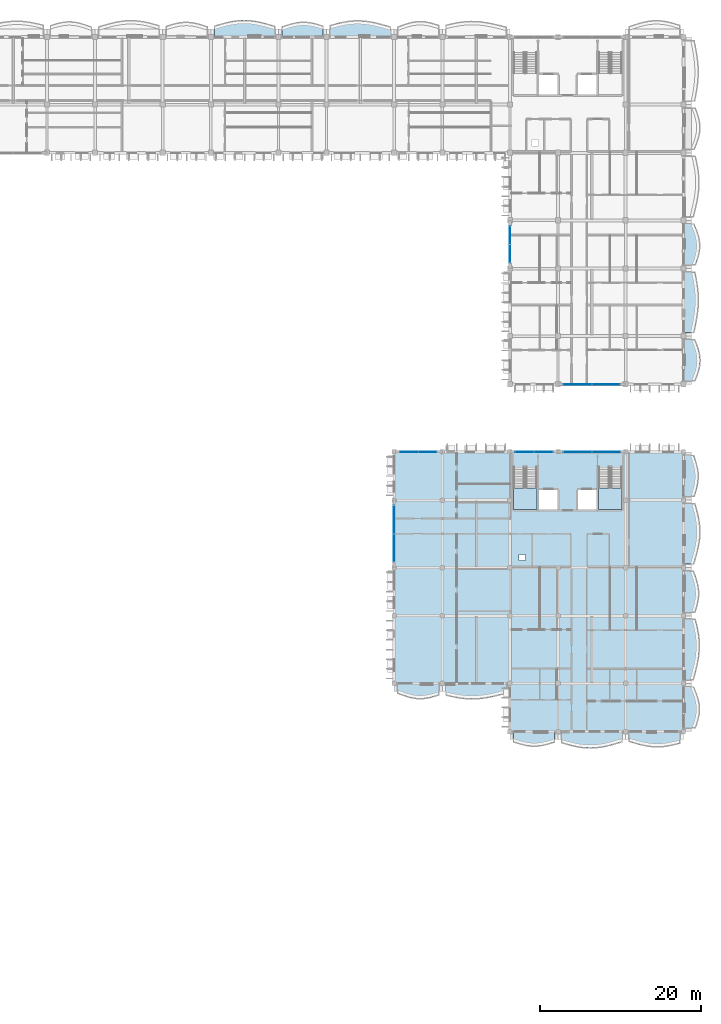
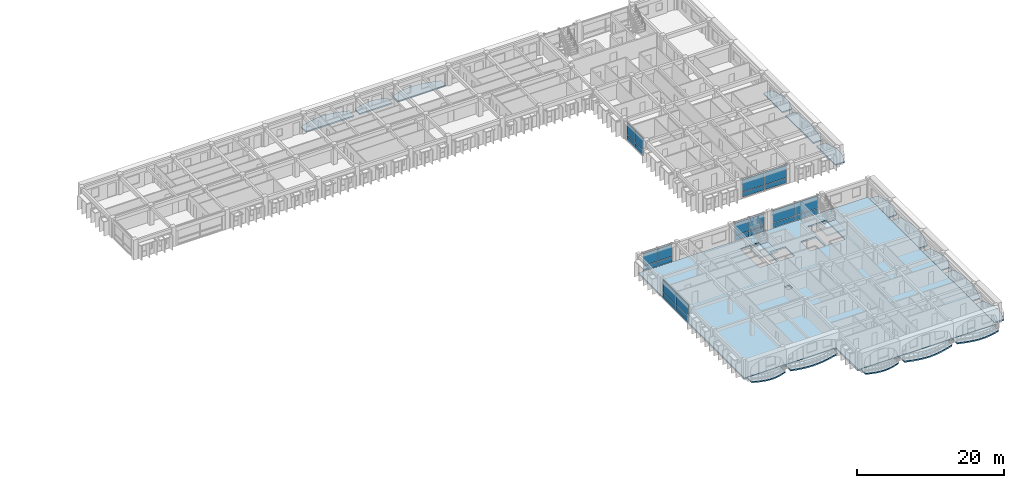
# One storey, part 23 of 79: 24 plates, 19 slabs, 8 elements without a shape of their own.
"""IFC4 building model written with IfcOpenShell, lengths in metres."""

from ifc_helpers import new_model, si_unit, direction, frame, origin, origin_2d, place, context, subcontext, project, spatial, polyline, rectangle, outline, extrude, material, layer, layer_set, type_object, element, aggregate, save


model = new_model("IFC4")

# Units and contexts
model_context = context("Model", 3, precision=1e-05, world=origin(), true_north=direction((0.0, 1.0)))
body_context = subcontext(model_context, "Body", "Model", "MODEL_VIEW")
ifc_project = project(units=[si_unit("LENGTHUNIT", "METRE"), si_unit("AREAUNIT", "SQUARE_METRE"), si_unit("VOLUMEUNIT", "CUBIC_METRE"), si_unit("PLANEANGLEUNIT", "RADIAN"), si_unit("MASSUNIT", "GRAM", prefix="KILO"), si_unit("THERMODYNAMICTEMPERATUREUNIT", "KELVIN")], contexts=[model_context])

# Site, building, storey
site_placement = place(None, origin())
site = spatial("IfcSite", under=ifc_project, at=site_placement, CompositionType="ELEMENT")
building_placement = place(site_placement, origin())
building = spatial("IfcBuilding", under=site, at=building_placement, Name="Thalorik Housing Commons", CompositionType="ELEMENT")
storey_placement = place(building_placement, frame((0.0, 0.0, 11.39990234375)))
storey = spatial("IfcBuildingStorey", under=building, at=storey_placement, Name="L03", CompositionType="ELEMENT", Elevation=11.39990234375)

# Curtain wall, plates
ifc_material_1 = material(Name="Anodised aluminium and solar-control low-E glass", Category="aluminium")
curtain_wall_type_1 = type_object("IfcCurtainWallType", Name="ARC-CW-LOUNGE", PredefinedType="USERDEFINED", material=ifc_material_1)
curtain_wall_1_placement = place(storey_placement, origin())
curtain_wall_1 = element("IfcCurtainWall", 1, at=curtain_wall_1_placement, inside=storey, type_object=curtain_wall_type_1, Name="L03 Curtain Wall CW-RES-L03-B-086", ObjectType="CURTAIN WALL", PredefinedType="USERDEFINED")
ifc_material_2 = material(Name="Cobalt blue enamelled aluminium spandrel panel", Category="aluminium")
ifc_layer_1 = layer(ifc_material_2, 0.0458984375, Name="Cobalt blue enamelled aluminium spandrel panel", Category="aluminium")
ifc_layer_set_1 = layer_set([ifc_layer_1], Name="Cobalt blue enamelled aluminium spandrel panel")
plate_type_1 = type_object("IfcPlateType", Name="ARC-CP-BLU-46", PredefinedType="CURTAIN_PANEL", material=ifc_layer_set_1)
plate_1_placement = place(storey_placement, frame((152.39990234375, 98.949951171875, 0.080078125), z_axis=(0.0, 0.0, 1.0), x_axis=(0.0, -1.0, 0.0)))
plate_1 = element("IfcPlate", 2, at=plate_1_placement, type_object=plate_type_1, Name="CW-RES-L03-B-086 Spandrel Panel 1", PredefinedType="CURTAIN_PANEL", context=body_context, shape_type="SweptSolid", body=[
    extrude(rectangle(XDim=2.239990234375, YDim=0.0458984375, at=origin_2d()), origin(), (0.0, 0.0, 1.0), 0.760009765625),
])
plate_2_placement = place(storey_placement, frame((152.39990234375, 96.64990234375, 0.080078125), z_axis=(0.0, 0.0, 1.0), x_axis=(0.0, -1.0, 0.0)))
plate_2 = element("IfcPlate", 3, at=plate_2_placement, type_object=plate_type_1, Name="CW-RES-L03-B-086 Spandrel Panel 2", PredefinedType="CURTAIN_PANEL", context=body_context, shape_type="SweptSolid", body=[
    extrude(rectangle(XDim=2.239990234375, YDim=0.0458984375, at=origin_2d()), origin(), (0.0, 0.0, 1.0), 0.760009765625),
])

curtain_wall_2_placement = place(storey_placement, origin())
curtain_wall_2 = element("IfcCurtainWall", 4, at=curtain_wall_2_placement, inside=storey, type_object=curtain_wall_type_1, Name="L03 Curtain Wall CW-RES-L03-D-183", ObjectType="CURTAIN WALL", PredefinedType="USERDEFINED")
plate_3_placement = place(storey_placement, frame((138.0, 63.550048828125, 0.080078125), z_axis=(0.0, 0.0, 1.0), x_axis=(0.0, -1.0, 0.0)))
plate_3 = element("IfcPlate", 5, at=plate_3_placement, type_object=plate_type_1, Name="CW-RES-L03-D-183 Spandrel Panel 1", PredefinedType="CURTAIN_PANEL", context=body_context, shape_type="SweptSolid", body=[
    extrude(rectangle(XDim=3.43994140625, YDim=0.0458984375, at=origin_2d()), origin(), (0.0, 0.0, 1.0), 0.760009765625),
])
plate_4_placement = place(storey_placement, frame((138.0, 60.050048828125, 0.080078125), z_axis=(0.0, 0.0, 1.0), x_axis=(0.0, -1.0, 0.0)))
plate_4 = element("IfcPlate", 6, at=plate_4_placement, type_object=plate_type_1, Name="CW-RES-L03-D-183 Spandrel Panel 2", PredefinedType="CURTAIN_PANEL", context=body_context, shape_type="SweptSolid", body=[
    extrude(rectangle(XDim=3.43994140625, YDim=0.0458984375, at=origin_2d()), origin(), (0.0, 0.0, 1.0), 0.760009765625),
])

curtain_wall_type_2 = type_object("IfcCurtainWallType", Name="ARC-CW-CORE", PredefinedType="USERDEFINED", material=ifc_material_1)
curtain_wall_3_placement = place(storey_placement, origin())
curtain_wall_3 = element("IfcCurtainWall", 7, at=curtain_wall_3_placement, inside=storey, type_object=curtain_wall_type_2, Name="L03 Curtain Wall CW-CORE-L03-D-187", ObjectType="CURTAIN WALL", PredefinedType="USERDEFINED")
plate_5_placement = place(storey_placement, frame((164.375, 72.0, 0.080078125), z_axis=(0.0, 0.0, 1.0), x_axis=(-1.0, 0.0, 0.0)))
plate_5 = element("IfcPlate", 8, at=plate_5_placement, type_object=plate_type_1, Name="CW-CORE-L03-D-187 Spandrel Panel 1", PredefinedType="CURTAIN_PANEL", context=body_context, shape_type="SweptSolid", body=[
    extrude(rectangle(XDim=3.489990234375, YDim=0.0458984375, at=origin_2d()), origin(), (0.0, 0.0, 1.0), 0.760009765625),
])
plate_6_placement = place(storey_placement, frame((160.824951171875, 72.0, 0.080078125), z_axis=(0.0, 0.0, 1.0), x_axis=(-1.0, 0.0, 0.0)))
plate_6 = element("IfcPlate", 9, at=plate_6_placement, type_object=plate_type_1, Name="CW-CORE-L03-D-187 Spandrel Panel 2", PredefinedType="CURTAIN_PANEL", context=body_context, shape_type="SweptSolid", body=[
    extrude(rectangle(XDim=3.489990234375, YDim=0.0458984375, at=origin_2d()), origin(), (0.0, 0.0, 1.0), 0.760009765625),
])

# Plate
ifc_material_3 = material(Name="Double solar-control low-E glass", Category="glass")
ifc_layer_2 = layer(ifc_material_3, 0.028076171875, Name="Double solar-control low-E glass", Category="glass")
ifc_layer_set_2 = layer_set([ifc_layer_2], Name="Double solar-control low-E glass")
plate_type_2 = type_object("IfcPlateType", Name="ARC-CP-GLZ-28", PredefinedType="CURTAIN_PANEL", material=ifc_layer_set_2)
plate_7_placement = place(storey_placement, frame((152.39990234375, 98.949951171875, 0.920166015625), z_axis=(0.0, 0.0, 1.0), x_axis=(0.0, -1.0, 0.0)))
plate_7 = element("IfcPlate", 10, at=plate_7_placement, type_object=plate_type_2, Name="CW-RES-L03-B-086 Vision Panel 1", PredefinedType="CURTAIN_PANEL", context=body_context, shape_type="SweptSolid", body=[
    extrude(rectangle(XDim=2.239990234375, YDim=0.028076171875, at=origin_2d()), origin(), (0.0, 0.0, 1.0), 2.0400390625),
])

plate_8_placement = place(storey_placement, frame((152.39990234375, 96.64990234375, 0.920166015625), z_axis=(0.0, 0.0, 1.0), x_axis=(0.0, -1.0, 0.0)))
plate_8 = element("IfcPlate", 11, at=plate_8_placement, type_object=plate_type_2, Name="CW-RES-L03-B-086 Vision Panel 2", PredefinedType="CURTAIN_PANEL", context=body_context, shape_type="SweptSolid", body=[
    extrude(rectangle(XDim=2.239990234375, YDim=0.028076171875, at=origin_2d()), origin(), (0.0, 0.0, 1.0), 2.0400390625),
])

aggregate(curtain_wall_1, [plate_1, plate_7, plate_2, plate_8])

# Curtain wall, plates
curtain_wall_4_placement = place(storey_placement, origin())
curtain_wall_4 = element("IfcCurtainWall", 12, at=curtain_wall_4_placement, inside=storey, type_object=curtain_wall_type_1, Name="L03 Curtain Wall CW-RES-L03-B-087", ObjectType="CURTAIN WALL", PredefinedType="USERDEFINED")
plate_9_placement = place(storey_placement, frame((160.85009765625, 80.39990234375, 0.920166015625), z_axis=(0.0, 0.0, 1.0), x_axis=(1.0, 0.0, 0.0)))
plate_9 = element("IfcPlate", 13, at=plate_9_placement, type_object=plate_type_2, Name="CW-RES-L03-B-087 Vision Panel 1", PredefinedType="CURTAIN_PANEL", context=body_context, shape_type="SweptSolid", body=[
    extrude(rectangle(XDim=3.43994140625, YDim=0.028076171875, at=origin_2d()), origin(), (0.0, 0.0, 1.0), 2.0400390625),
])
plate_10_placement = place(storey_placement, frame((164.35009765625, 80.39990234375, 0.920166015625), z_axis=(0.0, 0.0, 1.0), x_axis=(1.0, 0.0, 0.0)))
plate_10 = element("IfcPlate", 14, at=plate_10_placement, type_object=plate_type_2, Name="CW-RES-L03-B-087 Vision Panel 2", PredefinedType="CURTAIN_PANEL", context=body_context, shape_type="SweptSolid", body=[
    extrude(rectangle(XDim=3.43994140625, YDim=0.028076171875, at=origin_2d()), origin(), (0.0, 0.0, 1.0), 2.0400390625),
])

curtain_wall_5_placement = place(storey_placement, origin())
curtain_wall_5 = element("IfcCurtainWall", 15, at=curtain_wall_5_placement, inside=storey, type_object=curtain_wall_type_1, Name="L03 Curtain Wall CW-RES-L03-D-182", ObjectType="CURTAIN WALL", PredefinedType="USERDEFINED")
plate_11_placement = place(storey_placement, frame((142.14990234375, 72.0, 0.920166015625), z_axis=(0.0, 0.0, 1.0), x_axis=(-1.0, 0.0, 0.0)))
plate_11 = element("IfcPlate", 16, at=plate_11_placement, type_object=plate_type_2, Name="CW-RES-L03-D-182 Vision Panel 1", PredefinedType="CURTAIN_PANEL", context=body_context, shape_type="SweptSolid", body=[
    extrude(rectangle(XDim=2.239990234375, YDim=0.028076171875, at=origin_2d()), origin(), (0.0, 0.0, 1.0), 2.0400390625),
])
plate_12_placement = place(storey_placement, frame((139.85009765625, 72.0, 0.920166015625), z_axis=(0.0, 0.0, 1.0), x_axis=(-1.0, 0.0, 0.0)))
plate_12 = element("IfcPlate", 17, at=plate_12_placement, type_object=plate_type_2, Name="CW-RES-L03-D-182 Vision Panel 2", PredefinedType="CURTAIN_PANEL", context=body_context, shape_type="SweptSolid", body=[
    extrude(rectangle(XDim=2.239990234375, YDim=0.028076171875, at=origin_2d()), origin(), (0.0, 0.0, 1.0), 2.0400390625),
])

# Plate
plate_13_placement = place(storey_placement, frame((138.0, 63.550048828125, 0.920166015625), z_axis=(0.0, 0.0, 1.0), x_axis=(0.0, -1.0, 0.0)))
plate_13 = element("IfcPlate", 18, at=plate_13_placement, type_object=plate_type_2, Name="CW-RES-L03-D-183 Vision Panel 1", PredefinedType="CURTAIN_PANEL", context=body_context, shape_type="SweptSolid", body=[
    extrude(rectangle(XDim=3.43994140625, YDim=0.028076171875, at=origin_2d()), origin(), (0.0, 0.0, 1.0), 2.0400390625),
])

plate_14_placement = place(storey_placement, frame((138.0, 60.050048828125, 0.920166015625), z_axis=(0.0, 0.0, 1.0), x_axis=(0.0, -1.0, 0.0)))
plate_14 = element("IfcPlate", 19, at=plate_14_placement, type_object=plate_type_2, Name="CW-RES-L03-D-183 Vision Panel 2", PredefinedType="CURTAIN_PANEL", context=body_context, shape_type="SweptSolid", body=[
    extrude(rectangle(XDim=3.43994140625, YDim=0.028076171875, at=origin_2d()), origin(), (0.0, 0.0, 1.0), 2.0400390625),
])

aggregate(curtain_wall_2, [plate_3, plate_13, plate_4, plate_14])

plate_15_placement = place(storey_placement, frame((164.375, 72.0, 0.920166015625), z_axis=(0.0, 0.0, 1.0), x_axis=(-1.0, 0.0, 0.0)))
plate_15 = element("IfcPlate", 20, at=plate_15_placement, type_object=plate_type_2, Name="CW-CORE-L03-D-187 Vision Panel 1", PredefinedType="CURTAIN_PANEL", context=body_context, shape_type="SweptSolid", body=[
    extrude(rectangle(XDim=3.489990234375, YDim=0.028076171875, at=origin_2d()), origin(), (0.0, 0.0, 1.0), 2.0400390625),
])

plate_16_placement = place(storey_placement, frame((160.824951171875, 72.0, 0.920166015625), z_axis=(0.0, 0.0, 1.0), x_axis=(-1.0, 0.0, 0.0)))
plate_16 = element("IfcPlate", 21, at=plate_16_placement, type_object=plate_type_2, Name="CW-CORE-L03-D-187 Vision Panel 2", PredefinedType="CURTAIN_PANEL", context=body_context, shape_type="SweptSolid", body=[
    extrude(rectangle(XDim=3.489990234375, YDim=0.028076171875, at=origin_2d()), origin(), (0.0, 0.0, 1.0), 2.0400390625),
])

aggregate(curtain_wall_3, [plate_5, plate_15, plate_6, plate_16])

# Curtain wall, plates
curtain_wall_6_placement = place(storey_placement, origin())
curtain_wall_6 = element("IfcCurtainWall", 22, at=curtain_wall_6_placement, inside=storey, type_object=curtain_wall_type_2, Name="L03 Curtain Wall CW-CORE-L03-D-188", ObjectType="CURTAIN WALL", PredefinedType="USERDEFINED")
plate_17_placement = place(storey_placement, frame((156.574951171875, 72.0, 0.920166015625), z_axis=(0.0, 0.0, 1.0), x_axis=(-1.0, 0.0, 0.0)))
plate_17 = element("IfcPlate", 23, at=plate_17_placement, type_object=plate_type_2, Name="CW-CORE-L03-D-188 Vision Panel 1", PredefinedType="CURTAIN_PANEL", context=body_context, shape_type="SweptSolid", body=[
    extrude(rectangle(XDim=2.2900390625, YDim=0.028076171875, at=origin_2d()), origin(), (0.0, 0.0, 1.0), 2.0400390625),
])
plate_18_placement = place(storey_placement, frame((154.22509765625, 72.0, 0.920166015625), z_axis=(0.0, 0.0, 1.0), x_axis=(-1.0, 0.0, 0.0)))
plate_18 = element("IfcPlate", 24, at=plate_18_placement, type_object=plate_type_2, Name="CW-CORE-L03-D-188 Vision Panel 2", PredefinedType="CURTAIN_PANEL", context=body_context, shape_type="SweptSolid", body=[
    extrude(rectangle(XDim=2.2900390625, YDim=0.028076171875, at=origin_2d()), origin(), (0.0, 0.0, 1.0), 2.0400390625),
])

# Plate
ifc_material_4 = material(Name="Mineral ochre yellow aluminium spandrel panel", Category="aluminium")
ifc_layer_3 = layer(ifc_material_4, 0.050048828125, Name="Mineral ochre yellow aluminium spandrel panel", Category="aluminium")
ifc_layer_set_3 = layer_set([ifc_layer_3], Name="Mineral ochre yellow aluminium spandrel panel")
plate_type_3 = type_object("IfcPlateType", Name="ARC-CP-YEL-50", PredefinedType="CURTAIN_PANEL", material=ifc_layer_set_3)
plate_19_placement = place(storey_placement, frame((160.85009765625, 80.39990234375, 0.080078125), z_axis=(0.0, 0.0, 1.0), x_axis=(1.0, 0.0, 0.0)))
plate_19 = element("IfcPlate", 25, at=plate_19_placement, type_object=plate_type_3, Name="CW-RES-L03-B-087 Spandrel Panel 1", PredefinedType="CURTAIN_PANEL", context=body_context, shape_type="SweptSolid", body=[
    extrude(rectangle(XDim=3.43994140625, YDim=0.050048828125, at=origin_2d()), origin(), (0.0, 0.0, 1.0), 0.760009765625),
])

plate_20_placement = place(storey_placement, frame((164.35009765625, 80.39990234375, 0.080078125), z_axis=(0.0, 0.0, 1.0), x_axis=(1.0, 0.0, 0.0)))
plate_20 = element("IfcPlate", 26, at=plate_20_placement, type_object=plate_type_3, Name="CW-RES-L03-B-087 Spandrel Panel 2", PredefinedType="CURTAIN_PANEL", context=body_context, shape_type="SweptSolid", body=[
    extrude(rectangle(XDim=3.43994140625, YDim=0.050048828125, at=origin_2d()), origin(), (0.0, 0.0, 1.0), 0.760009765625),
])

aggregate(curtain_wall_4, [plate_19, plate_9, plate_20, plate_10])

plate_21_placement = place(storey_placement, frame((142.14990234375, 72.0, 0.080078125), z_axis=(0.0, 0.0, 1.0), x_axis=(-1.0, 0.0, 0.0)))
plate_21 = element("IfcPlate", 27, at=plate_21_placement, type_object=plate_type_3, Name="CW-RES-L03-D-182 Spandrel Panel 1", PredefinedType="CURTAIN_PANEL", context=body_context, shape_type="SweptSolid", body=[
    extrude(rectangle(XDim=2.239990234375, YDim=0.050048828125, at=origin_2d()), origin(), (0.0, 0.0, 1.0), 0.760009765625),
])

plate_22_placement = place(storey_placement, frame((139.85009765625, 72.0, 0.080078125), z_axis=(0.0, 0.0, 1.0), x_axis=(-1.0, 0.0, 0.0)))
plate_22 = element("IfcPlate", 28, at=plate_22_placement, type_object=plate_type_3, Name="CW-RES-L03-D-182 Spandrel Panel 2", PredefinedType="CURTAIN_PANEL", context=body_context, shape_type="SweptSolid", body=[
    extrude(rectangle(XDim=2.239990234375, YDim=0.050048828125, at=origin_2d()), origin(), (0.0, 0.0, 1.0), 0.760009765625),
])

aggregate(curtain_wall_5, [plate_21, plate_11, plate_22, plate_12])

plate_23_placement = place(storey_placement, frame((156.574951171875, 72.0, 0.080078125), z_axis=(0.0, 0.0, 1.0), x_axis=(-1.0, 0.0, 0.0)))
plate_23 = element("IfcPlate", 29, at=plate_23_placement, type_object=plate_type_3, Name="CW-CORE-L03-D-188 Spandrel Panel 1", PredefinedType="CURTAIN_PANEL", context=body_context, shape_type="SweptSolid", body=[
    extrude(rectangle(XDim=2.2900390625, YDim=0.050048828125, at=origin_2d()), origin(), (0.0, 0.0, 1.0), 0.760009765625),
])

plate_24_placement = place(storey_placement, frame((154.22509765625, 72.0, 0.080078125), z_axis=(0.0, 0.0, 1.0), x_axis=(-1.0, 0.0, 0.0)))
plate_24 = element("IfcPlate", 30, at=plate_24_placement, type_object=plate_type_3, Name="CW-CORE-L03-D-188 Spandrel Panel 2", PredefinedType="CURTAIN_PANEL", context=body_context, shape_type="SweptSolid", body=[
    extrude(rectangle(XDim=2.2900390625, YDim=0.050048828125, at=origin_2d()), origin(), (0.0, 0.0, 1.0), 0.760009765625),
])

aggregate(curtain_wall_6, [plate_23, plate_17, plate_24, plate_18])

# Stair, slab
ifc_material_5 = material(Name="Precast concrete C40/50", Category="concrete")
stair_type = type_object("IfcStairType", Name="ARC-STR-1350-R20", PredefinedType="HALF_TURN_STAIR", material=ifc_material_5)
stair_1_placement = place(storey_placement, origin())
stair_1 = element("IfcStair", 31, at=stair_1_placement, inside=storey, type_object=stair_type, Name="L03 Block D Smoke-Proof Stair 1", PredefinedType="HALF_TURN_STAIR")
ifc_layer_4 = layer(ifc_material_5, 0.199951171875, Name="Precast concrete C40/50", Category="concrete")
ifc_layer_set_4 = layer_set([ifc_layer_4], Name="Precast concrete C40/50")
slab_type_1 = type_object("IfcSlabType", Name="ARC-SLB-STLND-200", PredefinedType="LANDING", material=ifc_layer_set_4)
slab_1_placement = place(storey_placement, frame((0.0, 0.0, 1.4501953125)))
slab_1 = element("IfcSlab", 32, at=slab_1_placement, type_object=slab_type_1, Name="ST-D1 landing 1", PredefinedType="LANDING", context=body_context, shape_type="SweptSolid", body=[
    extrude(outline(polyline([(152.85009765625, 67.489990234375), (152.85009765625, 64.85009765625), (155.75, 64.85009765625), (155.75, 67.489990234375), (152.85009765625, 67.489990234375)])), origin(), (0.0, 0.0, 1.0), 0.199951171875),
])
aggregate(stair_1, [slab_1])

stair_2_placement = place(storey_placement, origin())
stair_2 = element("IfcStair", 33, at=stair_2_placement, inside=storey, type_object=stair_type, Name="L03 Block D Smoke-Proof Stair 2", PredefinedType="HALF_TURN_STAIR")
slab_2_placement = place(storey_placement, frame((0.0, 0.0, 1.4501953125)))
slab_2 = element("IfcSlab", 34, at=slab_2_placement, type_object=slab_type_1, Name="ST-D2 landing 1", PredefinedType="LANDING", context=body_context, shape_type="SweptSolid", body=[
    extrude(outline(polyline([(163.449951171875, 67.489990234375), (163.449951171875, 64.85009765625), (166.35009765625, 64.85009765625), (166.35009765625, 67.489990234375), (163.449951171875, 67.489990234375)])), origin(), (0.0, 0.0, 1.0), 0.199951171875),
])
aggregate(stair_2, [slab_2])

# Slabs
ifc_layer_5 = layer(ifc_material_5, 0.199951171875, Name="Precast concrete C40/50", Category="concrete")
ifc_layer_set_5 = layer_set([ifc_layer_5], Name="Precast concrete C40/50")
slab_type_2 = type_object("IfcSlabType", Name="STR-SLB-BALC-200", PredefinedType="FLOOR", material=ifc_layer_set_5)
slab_3_placement = place(storey_placement, frame((0.0, 0.0, -0.199951171875)))
element("IfcSlab", 35, at=slab_3_placement, inside=storey, type_object=slab_type_2, Name="L03 Block B Cushion Balcony 124", PredefinedType="FLOOR", context=body_context, shape_type="SweptSolid", body=[
    extrude(outline(polyline([(124.02001953125, 123.60009765625), (129.179931640625, 123.60009765625), (129.179931640625, 124.978271484375), (128.75, 125.114501953125), (128.320068359375, 125.240234375), (127.889892578125, 125.34619140625), (127.4599609375, 125.4248046875), (127.030029296875, 125.469970703125), (126.60009765625, 125.477783203125), (126.169921875, 125.44775390625), (125.739990234375, 125.38134765625), (125.31005859375, 125.28271484375), (124.8798828125, 125.158935546875), (124.449951171875, 125.0185546875), (124.02001953125, 124.870849609375), (124.02001953125, 123.60009765625)])), origin(), (0.0, 0.0, 1.0), 0.199951171875),
])
slab_4_placement = place(storey_placement, frame((0.0, 0.0, -0.199951171875)))
element("IfcSlab", 36, at=slab_4_placement, inside=storey, type_object=slab_type_2, Name="L03 Block B Cushion Balcony 131", PredefinedType="FLOOR", context=body_context, shape_type="SweptSolid", body=[
    extrude(outline(polyline([(175.433837890625, 80.820068359375), (175.609619140625, 81.25), (175.77197265625, 81.679931640625), (175.909912109375, 82.110107421875), (176.014404296875, 82.5400390625), (176.0791015625, 82.969970703125), (176.09912109375, 83.39990234375), (176.0732421875, 83.830078125), (176.003173828125, 84.260009765625), (175.893310546875, 84.68994140625), (175.750732421875, 85.1201171875), (175.584716796875, 85.550048828125), (175.40576171875, 85.97998046875), (174.0, 85.97998046875), (174.0, 80.820068359375), (175.433837890625, 80.820068359375)])), origin(), (0.0, 0.0, 1.0), 0.199951171875),
])
slab_5_placement = place(storey_placement, frame((0.0, 0.0, -0.199951171875)))
element("IfcSlab", 37, at=slab_5_placement, inside=storey, type_object=slab_type_2, Name="L03 Block B Cushion Balcony 133", PredefinedType="FLOOR", context=body_context, shape_type="SweptSolid", body=[
    extrude(outline(polyline([(175.4853515625, 95.219970703125), (175.646484375, 95.64990234375), (175.79248046875, 96.080078125), (175.913330078125, 96.510009765625), (176.0009765625, 96.93994140625), (176.048828125, 97.3701171875), (176.053466796875, 97.800048828125), (176.013671875, 98.22998046875), (175.931884765625, 98.659912109375), (175.8125, 99.090087890625), (175.66357421875, 99.52001953125), (175.494140625, 99.949951171875), (175.31494140625, 100.3798828125), (174.0, 100.3798828125), (174.0, 95.219970703125), (175.4853515625, 95.219970703125)])), origin(), (0.0, 0.0, 1.0), 0.199951171875),
])
slab_6_placement = place(storey_placement, frame((0.0, 0.0, -0.199951171875)))
element("IfcSlab", 38, at=slab_6_placement, inside=storey, type_object=slab_type_2, Name="L03 Block D Cushion Balcony 339", PredefinedType="FLOOR", context=body_context, shape_type="SweptSolid", body=[
    extrude(outline(polyline([(175.486083984375, 37.6201171875), (175.63818359375, 38.050048828125), (175.77587890625, 38.47998046875), (175.88916015625, 38.909912109375), (175.9697265625, 39.340087890625), (176.01171875, 39.77001953125), (176.01171875, 40.199951171875), (175.968994140625, 40.6298828125), (175.885498046875, 41.06005859375), (175.7666015625, 41.489990234375), (175.619140625, 41.919921875), (175.452880859375, 42.35009765625), (175.278564453125, 42.780029296875), (174.0, 42.780029296875), (174.0, 37.6201171875), (175.486083984375, 37.6201171875)])), origin(), (0.0, 0.0, 1.0), 0.199951171875),
])
slab_7_placement = place(storey_placement, frame((0.0, 0.0, -0.199951171875)))
element("IfcSlab", 39, at=slab_7_placement, inside=storey, type_object=slab_type_2, Name="L03 Block D Cushion Balcony 341", PredefinedType="FLOOR", context=body_context, shape_type="SweptSolid", body=[
    extrude(outline(polyline([(175.436279296875, 52.02001953125), (175.5751953125, 52.449951171875), (175.701904296875, 52.8798828125), (175.806396484375, 53.31005859375), (175.88134765625, 53.739990234375), (175.9208984375, 54.169921875), (175.92138671875, 54.60009765625), (175.882568359375, 55.030029296875), (175.805908203125, 55.4599609375), (175.6962890625, 55.889892578125), (175.561279296875, 56.320068359375), (175.4091796875, 56.75), (175.25048828125, 57.179931640625), (174.0, 57.179931640625), (174.0, 52.02001953125), (175.436279296875, 52.02001953125)])), origin(), (0.0, 0.0, 1.0), 0.199951171875),
])
slab_8_placement = place(storey_placement, frame((0.0, 0.0, -0.199951171875)))
element("IfcSlab", 40, at=slab_8_placement, inside=storey, type_object=slab_type_2, Name="L03 Block D Cushion Balcony 343", PredefinedType="FLOOR", context=body_context, shape_type="SweptSolid", body=[
    extrude(outline(polyline([(175.347412109375, 66.419921875), (175.484375, 66.85009765625), (175.61181640625, 67.280029296875), (175.720947265625, 67.7099609375), (175.80322265625, 68.139892578125), (175.85302734375, 68.570068359375), (175.8662109375, 69.0), (175.841552734375, 69.429931640625), (175.78076171875, 69.860107421875), (175.68798828125, 70.2900390625), (175.56982421875, 70.719970703125), (175.4345703125, 71.14990234375), (175.291748046875, 71.580078125), (174.0, 71.580078125), (174.0, 66.419921875), (175.347412109375, 66.419921875)])), origin(), (0.0, 0.0, 1.0), 0.199951171875),
])
slab_9_placement = place(storey_placement, frame((0.0, 0.0, -0.199951171875)))
element("IfcSlab", 41, at=slab_9_placement, inside=storey, type_object=slab_type_2, Name="L03 Block D Cushion Balcony 344", PredefinedType="FLOOR", context=body_context, shape_type="SweptSolid", body=[
    extrude(outline(polyline([(152.820068359375, 35.895751953125), (153.25, 35.7548828125), (153.679931640625, 35.621826171875), (154.110107421875, 35.50634765625), (154.5400390625, 35.41650390625), (154.969970703125, 35.358642578125), (155.39990234375, 35.3369140625), (155.830078125, 35.352783203125), (156.260009765625, 35.405029296875), (156.68994140625, 35.48974609375), (157.1201171875, 35.6005859375), (157.550048828125, 35.729736328125), (157.97998046875, 35.867919921875), (157.97998046875, 37.199951171875), (152.820068359375, 37.199951171875), (152.820068359375, 35.895751953125)])), origin(), (0.0, 0.0, 1.0), 0.199951171875),
])
slab_10_placement = place(storey_placement, frame((0.0, 0.0, -0.199951171875)))
element("IfcSlab", 42, at=slab_10_placement, inside=storey, type_object=slab_type_2, Name="L03 Block D Cushion Balcony 347", PredefinedType="FLOOR", context=body_context, shape_type="SweptSolid", body=[
    extrude(outline(polyline([(138.419921875, 41.947998046875), (138.85009765625, 41.783447265625), (139.280029296875, 41.6259765625), (139.7099609375, 41.485595703125), (140.139892578125, 41.371826171875), (140.570068359375, 41.29150390625), (141.0, 41.249755859375), (141.429931640625, 41.248779296875), (141.860107421875, 41.28759765625), (142.2900390625, 41.363037109375), (142.719970703125, 41.468994140625), (143.14990234375, 41.59814453125), (143.580078125, 41.740478515625), (143.580078125, 43.199951171875), (138.419921875, 43.199951171875), (138.419921875, 41.947998046875)])), origin(), (0.0, 0.0, 1.0), 0.199951171875),
])
ifc_layer_6 = layer(ifc_material_5, 0.219970703125, Name="Precast concrete C40/50", Category="concrete")
ifc_layer_set_6 = layer_set([ifc_layer_6], Name="Precast concrete C40/50")
slab_type_3 = type_object("IfcSlabType", Name="STR-SLB-BALC-220", PredefinedType="FLOOR", material=ifc_layer_set_6)
slab_11_placement = place(storey_placement, frame((0.0, 0.0, -0.219970703125)))
element("IfcSlab", 43, at=slab_11_placement, inside=storey, type_object=slab_type_3, Name="L03 Block B Cushion Balcony 123", PredefinedType="FLOOR", context=body_context, shape_type="SweptSolid", body=[
    extrude(outline(polyline([(115.6201171875, 123.60009765625), (123.179931640625, 123.60009765625), (123.179931640625, 124.9443359375), (122.550048828125, 125.13525390625), (121.919921875, 125.314697265625), (121.2900390625, 125.470458984375), (120.659912109375, 125.591552734375), (120.030029296875, 125.66943359375), (119.39990234375, 125.698974609375), (118.77001953125, 125.677978515625), (118.139892578125, 125.607666015625), (117.510009765625, 125.4931640625), (116.8798828125, 125.34228515625), (116.25, 125.16552734375), (115.6201171875, 124.97509765625), (115.6201171875, 123.60009765625)])), origin(), (0.0, 0.0, 1.0), 0.219970703125),
])
slab_12_placement = place(storey_placement, frame((0.0, 0.0, -0.219970703125)))
element("IfcSlab", 44, at=slab_12_placement, inside=storey, type_object=slab_type_3, Name="L03 Block B Cushion Balcony 125", PredefinedType="FLOOR", context=body_context, shape_type="SweptSolid", body=[
    extrude(outline(polyline([(130.02001953125, 123.60009765625), (137.580078125, 123.60009765625), (137.580078125, 124.869140625), (136.949951171875, 125.048828125), (136.320068359375, 125.223876953125), (135.68994140625, 125.381591796875), (135.06005859375, 125.511474609375), (134.429931640625, 125.604248046875), (133.800048828125, 125.6533203125), (133.169921875, 125.655517578125), (132.5400390625, 125.610107421875), (131.909912109375, 125.520263671875), (131.280029296875, 125.39208984375), (130.64990234375, 125.234130859375), (130.02001953125, 125.057373046875), (130.02001953125, 123.60009765625)])), origin(), (0.0, 0.0, 1.0), 0.219970703125),
])
slab_13_placement = place(storey_placement, frame((0.0, 0.0, -0.219970703125)))
element("IfcSlab", 45, at=slab_13_placement, inside=storey, type_object=slab_type_3, Name="L03 Block B Cushion Balcony 132", PredefinedType="FLOOR", context=body_context, shape_type="SweptSolid", body=[
    extrude(outline(polyline([(175.31787109375, 86.820068359375), (175.448974609375, 87.449951171875), (175.5751953125, 88.080078125), (175.68798828125, 88.7099609375), (175.780029296875, 89.340087890625), (175.8447265625, 89.969970703125), (175.8779296875, 90.60009765625), (175.877197265625, 91.22998046875), (175.84228515625, 91.860107421875), (175.775390625, 92.489990234375), (175.68115234375, 93.1201171875), (175.565673828125, 93.75), (175.436279296875, 94.3798828125), (174.0, 94.3798828125), (174.0, 86.820068359375), (175.31787109375, 86.820068359375)])), origin(), (0.0, 0.0, 1.0), 0.219970703125),
])
slab_14_placement = place(storey_placement, frame((0.0, 0.0, -0.219970703125)))
element("IfcSlab", 46, at=slab_14_placement, inside=storey, type_object=slab_type_3, Name="L03 Block D Cushion Balcony 340", PredefinedType="FLOOR", context=body_context, shape_type="SweptSolid", body=[
    extrude(outline(polyline([(175.250244140625, 43.6201171875), (175.414794921875, 44.25), (175.576904296875, 44.8798828125), (175.7255859375, 45.510009765625), (175.8505859375, 46.139892578125), (175.943115234375, 46.77001953125), (175.99658203125, 47.39990234375), (176.007080078125, 48.030029296875), (175.973876953125, 48.659912109375), (175.89892578125, 49.2900390625), (175.787109375, 49.919921875), (175.64599609375, 50.550048828125), (175.4853515625, 51.179931640625), (174.0, 51.179931640625), (174.0, 43.6201171875), (175.250244140625, 43.6201171875)])), origin(), (0.0, 0.0, 1.0), 0.219970703125),
])
slab_15_placement = place(storey_placement, frame((0.0, 0.0, -0.219970703125)))
element("IfcSlab", 47, at=slab_15_placement, inside=storey, type_object=slab_type_3, Name="L03 Block D Cushion Balcony 342", PredefinedType="FLOOR", context=body_context, shape_type="SweptSolid", body=[
    extrude(outline(polyline([(175.289306640625, 58.02001953125), (175.474853515625, 58.64990234375), (175.6533203125, 59.280029296875), (175.8125, 59.909912109375), (175.941650390625, 60.5400390625), (176.03125, 61.169921875), (176.075439453125, 61.800048828125), (176.07080078125, 62.429931640625), (176.017333984375, 63.06005859375), (175.9189453125, 63.68994140625), (175.782470703125, 64.320068359375), (175.616943359375, 64.949951171875), (175.433837890625, 65.580078125), (174.0, 65.580078125), (174.0, 58.02001953125), (175.289306640625, 58.02001953125)])), origin(), (0.0, 0.0, 1.0), 0.219970703125),
])
slab_16_placement = place(storey_placement, frame((0.0, 0.0, -0.219970703125)))
element("IfcSlab", 48, at=slab_16_placement, inside=storey, type_object=slab_type_3, Name="L03 Block D Cushion Balcony 345", PredefinedType="FLOOR", context=body_context, shape_type="SweptSolid", body=[
    extrude(outline(polyline([(158.820068359375, 35.77978515625), (159.449951171875, 35.593994140625), (160.080078125, 35.42529296875), (160.7099609375, 35.28466796875), (161.340087890625, 35.181884765625), (161.969970703125, 35.12451171875), (162.60009765625, 35.115966796875), (163.22998046875, 35.15673828125), (163.860107421875, 35.244140625), (164.489990234375, 35.3720703125), (165.1201171875, 35.53125), (165.75, 35.7109375), (166.3798828125, 35.8984375), (166.3798828125, 37.199951171875), (158.820068359375, 37.199951171875), (158.820068359375, 35.77978515625)])), origin(), (0.0, 0.0, 1.0), 0.219970703125),
])
slab_17_placement = place(storey_placement, frame((0.0, 0.0, -0.219970703125)))
element("IfcSlab", 49, at=slab_17_placement, inside=storey, type_object=slab_type_3, Name="L03 Block D Cushion Balcony 346", PredefinedType="FLOOR", context=body_context, shape_type="SweptSolid", body=[
    extrude(outline(polyline([(167.219970703125, 35.947509765625), (167.75, 35.79150390625), (168.280029296875, 35.64013671875), (168.81005859375, 35.503662109375), (169.340087890625, 35.390869140625), (169.8701171875, 35.309326171875), (170.39990234375, 35.264404296875), (170.929931640625, 35.259033203125), (171.4599609375, 35.292724609375), (171.989990234375, 35.363037109375), (172.52001953125, 35.464599609375), (173.050048828125, 35.59033203125), (173.580078125, 35.731201171875), (173.580078125, 37.199951171875), (167.219970703125, 37.199951171875), (167.219970703125, 35.947509765625)])), origin(), (0.0, 0.0, 1.0), 0.219970703125),
])
slab_18_placement = place(storey_placement, frame((0.0, 0.0, -0.219970703125)))
element("IfcSlab", 50, at=slab_18_placement, inside=storey, type_object=slab_type_3, Name="L03 Block D Cushion Balcony 348", PredefinedType="FLOOR", context=body_context, shape_type="SweptSolid", body=[
    extrude(outline(polyline([(144.419921875, 41.712158203125), (145.050048828125, 41.559814453125), (145.679931640625, 41.427001953125), (146.31005859375, 41.322265625), (146.93994140625, 41.252685546875), (147.570068359375, 41.222900390625), (148.199951171875, 41.234619140625), (148.830078125, 41.286865234375), (149.4599609375, 41.3759765625), (150.090087890625, 41.495361328125), (150.719970703125, 41.63720703125), (151.35009765625, 41.791259765625), (151.97998046875, 41.947509765625), (151.97998046875, 43.199951171875), (144.419921875, 43.199951171875), (144.419921875, 41.712158203125)])), origin(), (0.0, 0.0, 1.0), 0.219970703125),
])
ifc_material_6 = material(Name="Precast concrete C45/55", Category="concrete")
ifc_layer_7 = layer(ifc_material_6, 0.260009765625, Name="Precast concrete C45/55", Category="concrete")
ifc_layer_set_7 = layer_set([ifc_layer_7], Name="Precast concrete C45/55")
slab_type_4 = type_object("IfcSlabType", Name="STR-SLB-HC-260", PredefinedType="FLOOR", material=ifc_layer_set_7)
slab_19_placement = place(storey_placement, frame((0.0, 0.0, -0.260009765625)))
element("IfcSlab", 51, at=slab_19_placement, inside=storey, type_object=slab_type_4, Name="L03 Residential Block D Floor Slab", PredefinedType="FLOOR", context=body_context, shape_type="SweptSolid", body=[
    extrude(outline(polyline([(152.39990234375, 43.199951171875), (152.39990234375, 37.199951171875), (174.0, 37.199951171875), (174.0, 72.0), (152.39990234375, 72.0), (138.0, 72.0), (138.0, 43.199951171875), (152.39990234375, 43.199951171875)]), holes=[polyline([(152.85009765625, 70.050048828125), (155.75, 70.050048828125), (155.75, 64.85009765625), (152.85009765625, 64.85009765625), (152.85009765625, 70.050048828125)]), polyline([(166.35009765625, 70.050048828125), (166.35009765625, 64.85009765625), (163.449951171875, 64.85009765625), (163.449951171875, 70.050048828125), (166.35009765625, 70.050048828125)]), polyline([(158.39990234375, 67.39990234375), (158.39990234375, 64.85009765625), (156.0, 64.85009765625), (156.0, 67.39990234375), (158.39990234375, 67.39990234375)]), polyline([(163.199951171875, 64.85009765625), (160.800048828125, 64.85009765625), (160.800048828125, 67.39990234375), (163.199951171875, 67.39990234375), (163.199951171875, 64.85009765625)]), polyline([(153.550048828125, 58.449951171875), (153.550048828125, 59.25), (154.35009765625, 59.25), (154.35009765625, 58.449951171875), (153.550048828125, 58.449951171875)])]), origin(), (0.0, 0.0, 1.0), 0.260009765625),
])

save(model, "model.ifc")
